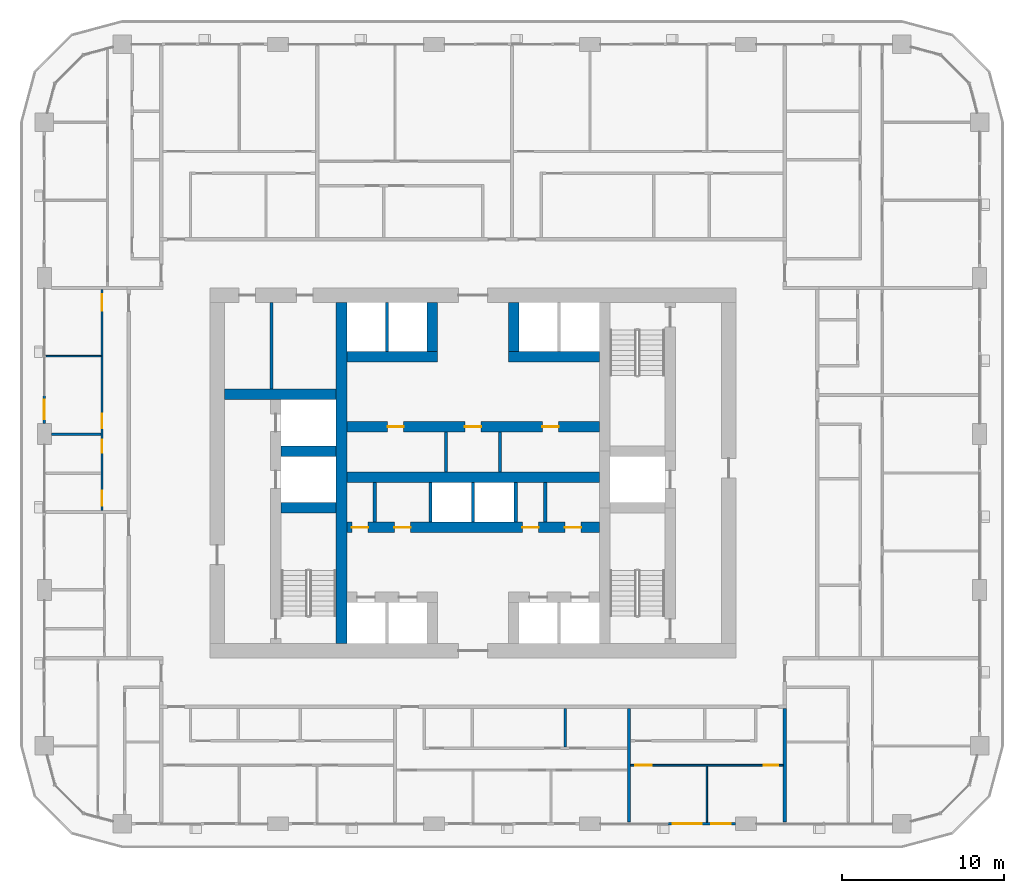
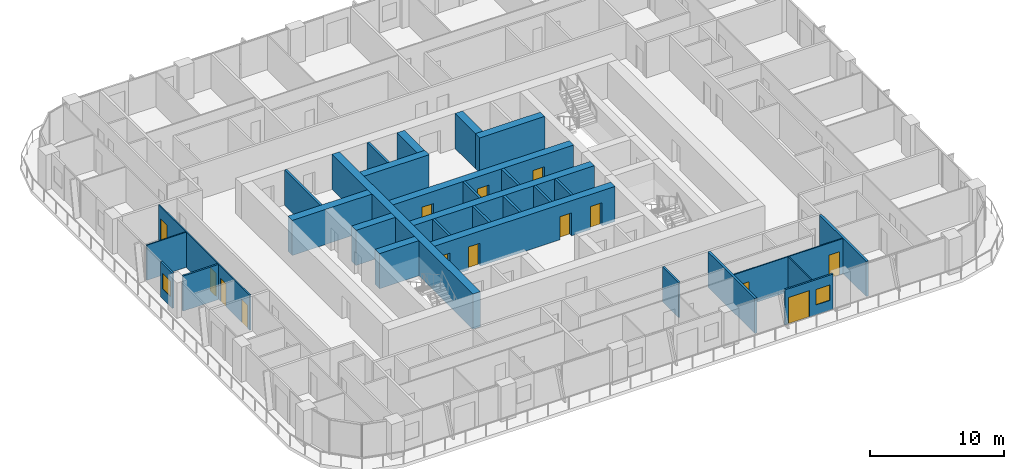
# One storey, part 11 of 22: 30 walls, 14 doors, 2 windows, 16 openings.
"""IFC4 building model written with IfcOpenShell, lengths in metres."""

from ifc_helpers import new_model, si_unit, direction, frame, frame_2d, origin, place, context, subcontext, project, spatial, rectangle, extrude, material, layer, layer_set, type_object, element, fill, save


model = new_model("IFC4")

# Units and contexts
model_context = context("Model", 3, precision=1e-05, world=origin(), true_north=direction((0.0, 1.0)))
body_context = subcontext(model_context, "Body", "Model", "MODEL_VIEW")
ifc_project = project(units=[si_unit("LENGTHUNIT", "METRE"), si_unit("AREAUNIT", "SQUARE_METRE"), si_unit("VOLUMEUNIT", "CUBIC_METRE"), si_unit("PLANEANGLEUNIT", "RADIAN"), si_unit("MASSUNIT", "GRAM", prefix="KILO")], contexts=[model_context])

# Site, building, storey
site_placement = place(None, origin())
site = spatial("IfcSite", under=ifc_project, at=site_placement, CompositionType="ELEMENT")
building_placement = place(site_placement, origin())
building = spatial("IfcBuilding", under=site, at=building_placement, Name="Madar Terraces", CompositionType="ELEMENT")
storey_placement = place(building_placement, frame((0.0, 0.0, 99.699951171875)))
storey = spatial("IfcBuildingStorey", under=building, at=storey_placement, Name="L25", CompositionType="ELEMENT", Elevation=99.699951171875)

# Walls
ifc_material_1 = material(Name="Concrete C80/95", Category="concrete")
ifc_layer_1 = layer(ifc_material_1, 0.64990234375)
ifc_layer_set_1 = layer_set([ifc_layer_1], Name="Concrete C80/95 (CIW2 RC wall 650)")
wall_type_1 = type_object("IfcWallType", Name="CIW2 RC wall 650", PredefinedType="SHEAR", material=ifc_layer_set_1)
wall_1_placement = place(storey_placement, frame((23.10009765625, 15.89990234375, 0.0), z_axis=(0.0, 0.0, 1.0), x_axis=(0.0, 1.0, 0.0)))
element("IfcWall", 1, at=wall_1_placement, inside=storey, type_object=wall_type_1, Name="CORE SHAFT WALL", PredefinedType="SHEAR", context=body_context, shape_type="SweptSolid", body=[
    extrude(rectangle(XDim=21.0, YDim=0.64990234375, at=frame_2d((10.5, 0.0))), origin(), (0.0, 0.0, 1.0), 3.199951171875),
])
for number, where, z_axis, x_axis, name in (
    (2, (19.375, 24.25, 0.0), (0.0, 0.0, 1.0), (1.0, 0.0, 0.0), "CORE SHAFT WALL"),
    (3, (19.375, 27.75, 0.0), (0.0, 0.0, 1.0), (1.0, 0.0, 0.0), "CORE SHAFT WALL"),
):
    element("IfcWall", number, at=place(storey_placement, frame(where, z_axis=z_axis, x_axis=x_axis)), inside=storey, type_object=wall_type_1, Name=name, PredefinedType="SHEAR", context=body_context, shape_type="SweptSolid", body=[
        extrude(rectangle(XDim=3.39990234375, YDim=0.64990234375, at=frame_2d((1.699951171875, 0.0))), origin(), (0.0, 0.0, 1.0), 3.199951171875),
    ])
wall_2_placement = place(storey_placement, frame((15.89990234375, 31.25, 0.0), z_axis=(0.0, 0.0, 1.0), x_axis=(1.0, 0.0, 0.0)))
element("IfcWall", 4, at=wall_2_placement, inside=storey, type_object=wall_type_1, Name="CORE SHAFT WALL", PredefinedType="SHEAR", context=body_context, shape_type="SweptSolid", body=[
    extrude(rectangle(XDim=6.875, YDim=0.64990234375, at=frame_2d((3.4375, 0.0))), origin(), (0.0, 0.0, 1.0), 3.199951171875),
])

# Wall, openings, doors
wall_3_placement = place(storey_placement, frame((23.425048828125, 23.050048828125, 0.0), z_axis=(0.0, 0.0, 1.0), x_axis=(1.0, 0.0, 0.0)))
wall_3 = element("IfcWall", 5, at=wall_3_placement, inside=storey, type_object=wall_type_1, Name="CORE SHAFT WALL", PredefinedType="SHEAR", context=body_context, shape_type="SweptSolid", body=[
    extrude(rectangle(XDim=15.550048828125, YDim=0.64990234375, at=frame_2d((7.77490234375, 0.0))), origin(), (0.0, 0.0, 1.0), 3.199951171875),
])
opening_1_placement = place(wall_3_placement, frame((0.30859375, 0.0, 0.0)))
opening_1 = element("IfcOpeningElement", 6, at=opening_1_placement, cuts=wall_3, Name="Opening KD2", PredefinedType="OPENING", context=body_context, shape_type="SweptSolid", body=[
    extrude(rectangle(XDim=1.0, YDim=2.10009765625, at=frame_2d((0.5, 1.050048828125))), frame((0.0, 0.3349609375, 0.0), z_axis=(0.0, -1.0, 0.0), x_axis=(1.0, 0.0, 0.0)), (0.0, 0.0, 1.0), 0.669921875),
])
opening_2_placement = place(wall_3_placement, frame((2.93359375, 0.0, 0.0)))
opening_2 = element("IfcOpeningElement", 7, at=opening_2_placement, cuts=wall_3, Name="Opening KD2", PredefinedType="OPENING", context=body_context, shape_type="SweptSolid", body=[
    extrude(rectangle(XDim=1.0, YDim=2.10009765625, at=frame_2d((0.5, 1.050048828125))), frame((0.0, 0.3349609375, 0.0), z_axis=(0.0, -1.0, 0.0), x_axis=(1.0, 0.0, 0.0)), (0.0, 0.0, 1.0), 0.669921875),
])
opening_3_placement = place(wall_3_placement, frame((10.80859375, 0.0, 0.0)))
opening_3 = element("IfcOpeningElement", 8, at=opening_3_placement, cuts=wall_3, Name="Opening KD2", PredefinedType="OPENING", context=body_context, shape_type="SweptSolid", body=[
    extrude(rectangle(XDim=1.0, YDim=2.10009765625, at=frame_2d((0.5, 1.050048828125))), frame((0.0, 0.3349609375, 0.0), z_axis=(0.0, -1.0, 0.0), x_axis=(1.0, 0.0, 0.0)), (0.0, 0.0, 1.0), 0.669921875),
])
opening_4_placement = place(wall_3_placement, frame((13.43359375, 0.0, 0.0)))
opening_4 = element("IfcOpeningElement", 9, at=opening_4_placement, cuts=wall_3, Name="Opening KD2", PredefinedType="OPENING", context=body_context, shape_type="SweptSolid", body=[
    extrude(rectangle(XDim=1.0, YDim=2.10009765625, at=frame_2d((0.5, 1.050048828125))), frame((0.0, 0.3349609375, 0.0), z_axis=(0.0, -1.0, 0.0), x_axis=(1.0, 0.0, 0.0)), (0.0, 0.0, 1.0), 0.669921875),
])
ifc_material_2 = material(Name="Steel door leaf", Category="steel")
door_type_1 = type_object("IfcDoorType", Name="Service room door 1000 x 2100", OperationType="NOTDEFINED", PredefinedType="DOOR", material=ifc_material_2)
door_1_placement = place(opening_1_placement, frame((1.0, 0.0, 0.0), z_axis=(0.0, 0.0, 1.0), x_axis=(-1.0, 0.0, 0.0)))
door_1 = element("IfcDoor", 10, at=door_1_placement, inside=storey, type_object=door_type_1, Name="SERVICE ROOM DOOR", OperationType="SINGLE_SWING_RIGHT", OverallHeight=2.10009765625, OverallWidth=1.0, PredefinedType="DOOR", context=body_context, shape_type="SweptSolid", body=[
    extrude(rectangle(XDim=1.0, YDim=2.10009765625, at=frame_2d((0.5, 1.050048828125))), frame((0.0, 0.02490234375, 0.0), z_axis=(0.0, -1.0, 0.0), x_axis=(1.0, 0.0, 0.0)), (0.0, 0.0, 1.0), 0.050048828125),
])
fill(opening_1, door_1)
door_2_placement = place(opening_2_placement, frame((1.0, 0.0, 0.0), z_axis=(0.0, 0.0, 1.0), x_axis=(-1.0, 0.0, 0.0)))
door_2 = element("IfcDoor", 11, at=door_2_placement, inside=storey, type_object=door_type_1, Name="SERVICE ROOM DOOR", OperationType="SINGLE_SWING_LEFT", OverallHeight=2.10009765625, OverallWidth=1.0, PredefinedType="DOOR", context=body_context, shape_type="SweptSolid", body=[
    extrude(rectangle(XDim=1.0, YDim=2.10009765625, at=frame_2d((0.5, 1.050048828125))), frame((0.0, 0.02490234375, 0.0), z_axis=(0.0, -1.0, 0.0), x_axis=(1.0, 0.0, 0.0)), (0.0, 0.0, 1.0), 0.050048828125),
])
fill(opening_2, door_2)
door_3_placement = place(opening_3_placement, frame((1.0, 0.0, 0.0), z_axis=(0.0, 0.0, 1.0), x_axis=(-1.0, 0.0, 0.0)))
door_3 = element("IfcDoor", 12, at=door_3_placement, inside=storey, type_object=door_type_1, Name="SERVICE ROOM DOOR", OperationType="SINGLE_SWING_RIGHT", OverallHeight=2.10009765625, OverallWidth=1.0, PredefinedType="DOOR", context=body_context, shape_type="SweptSolid", body=[
    extrude(rectangle(XDim=1.0, YDim=2.10009765625, at=frame_2d((0.5, 1.050048828125))), frame((0.0, 0.02490234375, 0.0), z_axis=(0.0, -1.0, 0.0), x_axis=(1.0, 0.0, 0.0)), (0.0, 0.0, 1.0), 0.050048828125),
])
fill(opening_3, door_3)
door_4_placement = place(opening_4_placement, frame((1.0, 0.0, 0.0), z_axis=(0.0, 0.0, 1.0), x_axis=(-1.0, 0.0, 0.0)))
door_4 = element("IfcDoor", 13, at=door_4_placement, inside=storey, type_object=door_type_1, Name="SERVICE ROOM DOOR", OperationType="SINGLE_SWING_LEFT", OverallHeight=2.10009765625, OverallWidth=1.0, PredefinedType="DOOR", context=body_context, shape_type="SweptSolid", body=[
    extrude(rectangle(XDim=1.0, YDim=2.10009765625, at=frame_2d((0.5, 1.050048828125))), frame((0.0, 0.02490234375, 0.0), z_axis=(0.0, -1.0, 0.0), x_axis=(1.0, 0.0, 0.0)), (0.0, 0.0, 1.0), 0.050048828125),
])
fill(opening_4, door_4)

# Wall
wall_4_placement = place(storey_placement, frame((23.425048828125, 26.14990234375, 0.0), z_axis=(0.0, 0.0, 1.0), x_axis=(1.0, 0.0, 0.0)))
element("IfcWall", 14, at=wall_4_placement, inside=storey, type_object=wall_type_1, Name="CORE SHAFT WALL", PredefinedType="SHEAR", context=body_context, shape_type="SweptSolid", body=[
    extrude(rectangle(XDim=15.550048828125, YDim=0.64990234375, at=frame_2d((7.77490234375, 0.0))), origin(), (0.0, 0.0, 1.0), 3.199951171875),
])

# Wall, openings, doors
wall_5_placement = place(storey_placement, frame((23.425048828125, 29.25, 0.0), z_axis=(0.0, 0.0, 1.0), x_axis=(1.0, 0.0, 0.0)))
wall_5 = element("IfcWall", 15, at=wall_5_placement, inside=storey, type_object=wall_type_1, Name="CORE SHAFT WALL", PredefinedType="SHEAR", context=body_context, shape_type="SweptSolid", body=[
    extrude(rectangle(XDim=15.550048828125, YDim=0.64990234375, at=frame_2d((7.77490234375, 0.0))), origin(), (0.0, 0.0, 1.0), 3.199951171875),
])
opening_5_placement = place(wall_5_placement, frame((2.508056640625, 0.0, 0.0)))
opening_5 = element("IfcOpeningElement", 16, at=opening_5_placement, cuts=wall_5, Name="Opening KD2", PredefinedType="OPENING", context=body_context, shape_type="SweptSolid", body=[
    extrude(rectangle(XDim=1.0, YDim=2.10009765625, at=frame_2d((0.5, 1.050048828125))), frame((0.0, 0.3349609375, 0.0), z_axis=(0.0, -1.0, 0.0), x_axis=(1.0, 0.0, 0.0)), (0.0, 0.0, 1.0), 0.669921875),
])
opening_6_placement = place(wall_5_placement, frame((7.27490234375, 0.0, 0.0)))
opening_6 = element("IfcOpeningElement", 17, at=opening_6_placement, cuts=wall_5, Name="Opening KD2", PredefinedType="OPENING", context=body_context, shape_type="SweptSolid", body=[
    extrude(rectangle(XDim=1.0, YDim=2.10009765625, at=frame_2d((0.5, 1.050048828125))), frame((0.0, 0.3349609375, 0.0), z_axis=(0.0, -1.0, 0.0), x_axis=(1.0, 0.0, 0.0)), (0.0, 0.0, 1.0), 0.669921875),
])
opening_7_placement = place(wall_5_placement, frame((12.041748046875, 0.0, 0.0)))
opening_7 = element("IfcOpeningElement", 18, at=opening_7_placement, cuts=wall_5, Name="Opening KD2", PredefinedType="OPENING", context=body_context, shape_type="SweptSolid", body=[
    extrude(rectangle(XDim=1.0, YDim=2.10009765625, at=frame_2d((0.5, 1.050048828125))), frame((0.0, 0.3349609375, 0.0), z_axis=(0.0, -1.0, 0.0), x_axis=(1.0, 0.0, 0.0)), (0.0, 0.0, 1.0), 0.669921875),
])
door_5_placement = place(opening_5_placement, origin())
door_5 = element("IfcDoor", 19, at=door_5_placement, inside=storey, type_object=door_type_1, Name="SERVICE ROOM DOOR", OperationType="SINGLE_SWING_RIGHT", OverallHeight=2.10009765625, OverallWidth=1.0, PredefinedType="DOOR", context=body_context, shape_type="SweptSolid", body=[
    extrude(rectangle(XDim=1.0, YDim=2.10009765625, at=frame_2d((0.5, 1.050048828125))), frame((0.0, 0.02490234375, 0.0), z_axis=(0.0, -1.0, 0.0), x_axis=(1.0, 0.0, 0.0)), (0.0, 0.0, 1.0), 0.050048828125),
])
fill(opening_5, door_5)
door_6_placement = place(opening_6_placement, origin())
door_6 = element("IfcDoor", 20, at=door_6_placement, inside=storey, type_object=door_type_1, Name="SERVICE ROOM DOOR", OperationType="SINGLE_SWING_LEFT", OverallHeight=2.10009765625, OverallWidth=1.0, PredefinedType="DOOR", context=body_context, shape_type="SweptSolid", body=[
    extrude(rectangle(XDim=1.0, YDim=2.10009765625, at=frame_2d((0.5, 1.050048828125))), frame((0.0, 0.02490234375, 0.0), z_axis=(0.0, -1.0, 0.0), x_axis=(1.0, 0.0, 0.0)), (0.0, 0.0, 1.0), 0.050048828125),
])
fill(opening_6, door_6)
door_7_placement = place(opening_7_placement, origin())
door_7 = element("IfcDoor", 21, at=door_7_placement, inside=storey, type_object=door_type_1, Name="SERVICE ROOM DOOR", OperationType="SINGLE_SWING_RIGHT", OverallHeight=2.10009765625, OverallWidth=1.0, PredefinedType="DOOR", context=body_context, shape_type="SweptSolid", body=[
    extrude(rectangle(XDim=1.0, YDim=2.10009765625, at=frame_2d((0.5, 1.050048828125))), frame((0.0, 0.02490234375, 0.0), z_axis=(0.0, -1.0, 0.0), x_axis=(1.0, 0.0, 0.0)), (0.0, 0.0, 1.0), 0.050048828125),
])
fill(opening_7, door_7)

# Walls
wall_6_placement = place(storey_placement, frame((23.425048828125, 33.550048828125, 0.0), z_axis=(0.0, 0.0, 1.0), x_axis=(1.0, 0.0, 0.0)))
element("IfcWall", 22, at=wall_6_placement, inside=storey, type_object=wall_type_1, Name="CORE SHAFT WALL", PredefinedType="SHEAR", context=body_context, shape_type="SweptSolid", body=[
    extrude(rectangle(XDim=5.599853515625, YDim=0.64990234375, at=frame_2d((2.7998046875, 0.0))), origin(), (0.0, 0.0, 1.0), 3.199951171875),
])
wall_7_placement = place(storey_placement, frame((33.375, 33.550048828125, 0.0), z_axis=(0.0, 0.0, 1.0), x_axis=(1.0, 0.0, 0.0)))
element("IfcWall", 23, at=wall_7_placement, inside=storey, type_object=wall_type_1, Name="CORE SHAFT WALL", PredefinedType="SHEAR", context=body_context, shape_type="SweptSolid", body=[
    extrude(rectangle(XDim=5.60009765625, YDim=0.64990234375, at=frame_2d((2.800048828125, 0.0))), origin(), (0.0, 0.0, 1.0), 3.199951171875),
])
for number, where, z_axis, x_axis, name in (
    (24, (28.699951171875, 33.875, 0.0), (0.0, 0.0, 1.0), (0.0, 1.0, 0.0), "CORE SHAFT WALL"),
    (25, (33.699951171875, 33.875, 0.0), (0.0, 0.0, 1.0), (0.0, 1.0, 0.0), "CORE SHAFT WALL"),
):
    element("IfcWall", number, at=place(storey_placement, frame(where, z_axis=z_axis, x_axis=x_axis)), inside=storey, type_object=wall_type_1, Name=name, PredefinedType="SHEAR", context=body_context, shape_type="SweptSolid", body=[
        extrude(rectangle(XDim=3.02490234375, YDim=0.64990234375, at=frame_2d((1.512451171875, 0.0))), origin(), (0.0, 0.0, 1.0), 3.199951171875),
    ])
ifc_material_3 = material(Name="Masonry blockwork", Category="masonry")
ifc_layer_2 = layer(ifc_material_3, 0.199951171875)
ifc_layer_set_2 = layer_set([ifc_layer_2], Name="Core partition 200 blockwork")
wall_type_2 = type_object("IfcWallType", Name="Core partition 200 blockwork", PredefinedType="PARTITIONING", material=ifc_layer_set_2)
wall_8_placement = place(storey_placement, frame((18.78759765625, 31.574951171875, 0.0), z_axis=(0.0, 0.0, 1.0), x_axis=(0.0, 1.0, 0.0)))
element("IfcWall", 26, at=wall_8_placement, inside=storey, type_object=wall_type_2, Name="SERVICE ROOM PARTITION", PredefinedType="PARTITIONING", context=body_context, shape_type="SweptSolid", body=[
    extrude(rectangle(XDim=5.324951171875, YDim=0.199951171875, at=frame_2d((2.66259765625, 0.0))), origin(), (0.0, 0.0, 1.0), 3.199951171875),
])
for number, where, z_axis, x_axis, name in (
    (27, (25.14208984375, 23.375, 0.0), (0.0, 0.0, 1.0), (0.0, 1.0, 0.0), "SERVICE ROOM PARTITION"),
    (28, (35.64208984375, 23.375, 0.0), (0.0, 0.0, 1.0), (0.0, 1.0, 0.0), "SERVICE ROOM PARTITION"),
    (29, (29.541259765625, 26.47509765625, 0.0), (0.0, 0.0, 1.0), (0.0, 1.0, 0.0), "SERVICE ROOM PARTITION"),
    (30, (32.858642578125, 26.47509765625, 0.0), (0.0, 0.0, 1.0), (0.0, 1.0, 0.0), "SERVICE ROOM PARTITION"),
):
    element("IfcWall", number, at=place(storey_placement, frame(where, z_axis=z_axis, x_axis=x_axis)), inside=storey, type_object=wall_type_2, Name=name, PredefinedType="PARTITIONING", context=body_context, shape_type="SweptSolid", body=[
        extrude(rectangle(XDim=2.449951171875, YDim=0.199951171875, at=frame_2d((1.22509765625, 0.0))), origin(), (0.0, 0.0, 1.0), 3.199951171875),
    ])
ifc_material_4 = material(Name="Concrete C40/50", Category="concrete")
ifc_layer_3 = layer(ifc_material_4, 0.199951171875)
ifc_layer_set_3 = layer_set([ifc_layer_3], Name="Core shaft dividing wall 200 C40/50")
wall_type_3 = type_object("IfcWallType", Name="Core shaft dividing wall 200 C40/50", PredefinedType="SOLIDWALL", material=ifc_layer_set_3)
for number, where, z_axis, x_axis, name in (
    (31, (28.574951171875, 23.375, 0.0), (0.0, 0.0, 1.0), (0.0, 1.0, 0.0), "SHAFT DIVIDING WALL"),
    (32, (31.199951171875, 23.375, 0.0), (0.0, 0.0, 1.0), (0.0, 1.0, 0.0), "SHAFT DIVIDING WALL"),
    (33, (33.824951171875, 23.375, 0.0), (0.0, 0.0, 1.0), (0.0, 1.0, 0.0), "SHAFT DIVIDING WALL"),
):
    element("IfcWall", number, at=place(storey_placement, frame(where, z_axis=z_axis, x_axis=x_axis)), inside=storey, type_object=wall_type_3, Name=name, PredefinedType="SOLIDWALL", context=body_context, shape_type="SweptSolid", body=[
        extrude(rectangle(XDim=2.449951171875, YDim=0.199951171875, at=frame_2d((1.22509765625, 0.0))), origin(), (0.0, 0.0, 1.0), 3.199951171875),
    ])
wall_9_placement = place(storey_placement, frame((25.89990234375, 33.875, 0.0), z_axis=(0.0, 0.0, 1.0), x_axis=(0.0, 1.0, 0.0)))
element("IfcWall", 34, at=wall_9_placement, inside=storey, type_object=wall_type_3, Name="SHAFT DIVIDING WALL", PredefinedType="SOLIDWALL", context=body_context, shape_type="SweptSolid", body=[
    extrude(rectangle(XDim=3.02490234375, YDim=0.199951171875, at=frame_2d((1.512451171875, 0.0))), origin(), (0.0, 0.0, 1.0), 3.199951171875),
])

# Wall, openings, door, window
ifc_material_5 = material(Name="Aluminium composite panel, black, over insulated backing", Category="aluminium")
ifc_layer_4 = layer(ifc_material_5, 0.14990234375)
ifc_layer_set_4 = layer_set([ifc_layer_4], Name="Facade bay panel 150")
wall_type_4 = type_object("IfcWallType", Name="Facade bay panel 150", PredefinedType="SOLIDWALL", material=ifc_layer_set_4)
wall_10_placement = place(storey_placement, frame((43.199951171875, 4.800048828125, 0.0), z_axis=(0.0, 0.0, 1.0), x_axis=(1.0, 0.0, 0.0)))
wall_10 = element("IfcWall", 35, at=wall_10_placement, inside=storey, type_object=wall_type_4, Name="Facade bay panel", PredefinedType="SOLIDWALL", context=body_context, shape_type="SweptSolid", body=[
    extrude(rectangle(XDim=4.150146484375, YDim=0.14990234375, at=frame_2d((2.0751953125, 0.0))), origin(), (0.0, 0.0, 1.0), 3.199951171875),
])
opening_8_placement = place(wall_10_placement, frame((0.300048828125, 0.0, 0.0)))
opening_8 = element("IfcOpeningElement", 36, at=opening_8_placement, cuts=wall_10, Name="Opening ED1", PredefinedType="OPENING", context=body_context, shape_type="SweptSolid", body=[
    extrude(rectangle(XDim=1.800048828125, YDim=2.39990234375, at=frame_2d((0.89990234375, 1.199951171875))), frame((0.0, 0.0849609375, 0.0), z_axis=(0.0, -1.0, 0.0), x_axis=(1.0, 0.0, 0.0)), (0.0, 0.0, 1.0), 0.169921875),
])
opening_9_placement = place(wall_10_placement, frame((2.675048828125, 0.0, 0.89990234375)))
opening_9 = element("IfcOpeningElement", 37, at=opening_9_placement, cuts=wall_10, Name="Opening W1", PredefinedType="OPENING", context=body_context, shape_type="SweptSolid", body=[
    extrude(rectangle(XDim=1.199951171875, YDim=1.39990234375, at=frame_2d((0.60009765625, 0.699951171875))), frame((0.0, 0.0849609375, 0.0), z_axis=(0.0, -1.0, 0.0), x_axis=(1.0, 0.0, 0.0)), (0.0, 0.0, 1.0), 0.169921875),
])
ifc_material_6 = material(Name="Glass, clear, with black aluminium frame", Category="aluminium")
door_type_2 = type_object("IfcDoorType", Name="Balcony and terrace sliding door 1800 x 2400", OperationType="SLIDING_TO_LEFT", PredefinedType="DOOR", material=ifc_material_6)
door_8_placement = place(opening_8_placement, origin())
door_8 = element("IfcDoor", 38, at=door_8_placement, inside=storey, type_object=door_type_2, Name="Balcony door", OperationType="SLIDING_TO_LEFT", OverallHeight=2.39990234375, OverallWidth=1.800048828125, PredefinedType="DOOR", context=body_context, shape_type="SweptSolid", body=[
    extrude(rectangle(XDim=1.800048828125, YDim=2.39990234375, at=frame_2d((0.89990234375, 1.199951171875))), frame((0.0, 0.02490234375, 0.0), z_axis=(0.0, -1.0, 0.0), x_axis=(1.0, 0.0, 0.0)), (0.0, 0.0, 1.0), 0.050048828125),
])
fill(opening_8, door_8)
ifc_material_7 = material(Name="Glass, clear, with black aluminium frame", Category="aluminium")
window_type = type_object("IfcWindowType", Name="Vent window 1200 x 1400", PartitioningType="SINGLE_PANEL", PredefinedType="WINDOW", material=ifc_material_7)
window_1_placement = place(opening_9_placement, origin())
window_1 = element("IfcWindow", 39, at=window_1_placement, inside=storey, type_object=window_type, Name="Operable vent window", OverallHeight=1.39990234375, OverallWidth=1.199951171875, PartitioningType="SINGLE_PANEL", PredefinedType="WINDOW", context=body_context, shape_type="SweptSolid", body=[
    extrude(rectangle(XDim=1.199951171875, YDim=1.39990234375, at=frame_2d((0.60009765625, 0.699951171875))), frame((0.0, 0.030029296875, 0.0), z_axis=(0.0, -1.0, 0.0), x_axis=(1.0, 0.0, 0.0)), (0.0, 0.0, 1.0), 0.06005859375),
])
fill(opening_9, window_1)

# Wall, opening, window
wall_11_placement = place(storey_placement, frame((4.800048828125, 31.199951171875, 0.0), z_axis=(0.0, 0.0, 1.0), x_axis=(0.0, -1.0, 0.0)))
wall_11 = element("IfcWall", 40, at=wall_11_placement, inside=storey, type_object=wall_type_4, Name="Facade bay panel", PredefinedType="SOLIDWALL", context=body_context, shape_type="SweptSolid", body=[
    extrude(rectangle(XDim=1.75, YDim=0.14990234375, at=frame_2d((0.875, 0.0))), origin(), (0.0, 0.0, 1.0), 3.199951171875),
])
opening_10_placement = place(wall_11_placement, frame((0.27490234375, 0.0, 0.89990234375)))
opening_10 = element("IfcOpeningElement", 41, at=opening_10_placement, cuts=wall_11, Name="Opening W1", PredefinedType="OPENING", context=body_context, shape_type="SweptSolid", body=[
    extrude(rectangle(XDim=1.199951171875, YDim=1.39990234375, at=frame_2d((0.60009765625, 0.699951171875))), frame((0.0, 0.0849609375, 0.0), z_axis=(0.0, -1.0, 0.0), x_axis=(1.0, 0.0, 0.0)), (0.0, 0.0, 1.0), 0.169921875),
])
window_2_placement = place(opening_10_placement, origin())
window_2 = element("IfcWindow", 42, at=window_2_placement, inside=storey, type_object=window_type, Name="Operable vent window", OverallHeight=1.39990234375, OverallWidth=1.199951171875, PartitioningType="SINGLE_PANEL", PredefinedType="WINDOW", context=body_context, shape_type="SweptSolid", body=[
    extrude(rectangle(XDim=1.199951171875, YDim=1.39990234375, at=frame_2d((0.60009765625, 0.699951171875))), frame((0.0, 0.030029296875, 0.0), z_axis=(0.0, -1.0, 0.0), x_axis=(1.0, 0.0, 0.0)), (0.0, 0.0, 1.0), 0.06005859375),
])
fill(opening_10, window_2)

# Wall
ifc_material_8 = material(Name="Gypsum board on steel studs", Category="steel")
ifc_layer_5 = layer(ifc_material_8, 0.10009765625)
ifc_layer_set_5 = layer_set([ifc_layer_5], Name="Flat partition 100")
wall_type_5 = type_object("IfcWallType", Name="Flat partition 100", PredefinedType="PARTITIONING", material=ifc_layer_set_5)
wall_12_placement = place(storey_placement, frame((45.60009765625, 8.35009765625, 0.0), z_axis=(0.0, 0.0, 1.0), x_axis=(0.0, -1.0, 0.0)))
element("IfcWall", 43, at=wall_12_placement, inside=storey, type_object=wall_type_5, Name="Flat partition 100", PredefinedType="PARTITIONING", context=body_context, shape_type="SweptSolid", body=[
    extrude(rectangle(XDim=3.4501953125, YDim=0.10009765625, at=frame_2d((1.72509765625, 0.0))), origin(), (0.0, 0.0, 1.0), 3.199951171875),
])

# Wall, openings, doors
wall_13_placement = place(storey_placement, frame((50.300048828125, 8.39990234375, 0.0), z_axis=(0.0, 0.0, 1.0), x_axis=(-1.0, 0.0, 0.0)))
wall_13 = element("IfcWall", 44, at=wall_13_placement, inside=storey, type_object=wall_type_5, Name="Flat partition 100", PredefinedType="PARTITIONING", context=body_context, shape_type="SweptSolid", body=[
    extrude(rectangle(XDim=9.400146484375, YDim=0.10009765625, at=frame_2d((4.7001953125, 0.0))), origin(), (0.0, 0.0, 1.0), 3.199951171875),
])
opening_11_placement = place(wall_13_placement, frame((0.300048828125, 0.0, 0.0)))
opening_11 = element("IfcOpeningElement", 45, at=opening_11_placement, cuts=wall_13, Name="Opening D2", PredefinedType="OPENING", context=body_context, shape_type="SweptSolid", body=[
    extrude(rectangle(XDim=0.89990234375, YDim=2.10009765625, at=frame_2d((0.449951171875, 1.050048828125))), frame((0.0, 0.06005859375, 0.0), z_axis=(0.0, -1.0, 0.0), x_axis=(1.0, 0.0, 0.0)), (0.0, 0.0, 1.0), 0.1201171875),
])
opening_12_placement = place(wall_13_placement, frame((8.10009765625, 0.0, 0.0)))
opening_12 = element("IfcOpeningElement", 46, at=opening_12_placement, cuts=wall_13, Name="Opening D3", PredefinedType="OPENING", context=body_context, shape_type="SweptSolid", body=[
    extrude(rectangle(XDim=1.0, YDim=2.10009765625, at=frame_2d((0.5, 1.050048828125))), frame((0.0, 0.06005859375, 0.0), z_axis=(0.0, -1.0, 0.0), x_axis=(1.0, 0.0, 0.0)), (0.0, 0.0, 1.0), 0.1201171875),
])
ifc_material_9 = material(Name="Timber door leaf", Category="wood")
door_type_3 = type_object("IfcDoorType", Name="Flat living room door 1000", OperationType="NOTDEFINED", PredefinedType="DOOR", material=ifc_material_9)
door_9_placement = place(opening_12_placement, origin())
door_9 = element("IfcDoor", 47, at=door_9_placement, inside=storey, type_object=door_type_3, Name="Flat living room door 1000", OperationType="SINGLE_SWING_RIGHT", OverallHeight=2.10009765625, OverallWidth=1.0, PredefinedType="DOOR", context=body_context, shape_type="SweptSolid", body=[
    extrude(rectangle(XDim=1.0, YDim=2.10009765625, at=frame_2d((0.5, 1.050048828125))), frame((0.0, 0.02490234375, 0.0), z_axis=(0.0, -1.0, 0.0), x_axis=(1.0, 0.0, 0.0)), (0.0, 0.0, 1.0), 0.050048828125),
])
fill(opening_12, door_9)
ifc_material_10 = material(Name="Timber door leaf", Category="wood")
door_type_4 = type_object("IfcDoorType", Name="Flat room door 900", OperationType="NOTDEFINED", PredefinedType="DOOR", material=ifc_material_10)
door_10_placement = place(opening_11_placement, origin())
door_10 = element("IfcDoor", 48, at=door_10_placement, inside=storey, type_object=door_type_4, Name="Flat room door 900", OperationType="SINGLE_SWING_LEFT", OverallHeight=2.10009765625, OverallWidth=0.89990234375, PredefinedType="DOOR", context=body_context, shape_type="SweptSolid", body=[
    extrude(rectangle(XDim=0.89990234375, YDim=2.10009765625, at=frame_2d((0.449951171875, 1.050048828125))), frame((0.0, 0.02490234375, 0.0), z_axis=(0.0, -1.0, 0.0), x_axis=(1.0, 0.0, 0.0)), (0.0, 0.0, 1.0), 0.050048828125),
])
fill(opening_11, door_10)

# Wall
wall_14_placement = place(storey_placement, frame((8.300048828125, 33.60009765625, 0.0), z_axis=(0.0, 0.0, 1.0), x_axis=(-1.0, 0.0, 0.0)))
element("IfcWall", 49, at=wall_14_placement, inside=storey, type_object=wall_type_5, Name="Flat partition 100", PredefinedType="PARTITIONING", context=body_context, shape_type="SweptSolid", body=[
    extrude(rectangle(XDim=3.400146484375, YDim=0.10009765625, at=frame_2d((1.7001953125, 0.0))), origin(), (0.0, 0.0, 1.0), 3.199951171875),
])

# Wall, openings, doors
wall_15_placement = place(storey_placement, frame((8.35009765625, 24.10009765625, 0.0), z_axis=(0.0, 0.0, 1.0), x_axis=(0.0, 1.0, 0.0)))
wall_15 = element("IfcWall", 50, at=wall_15_placement, inside=storey, type_object=wall_type_5, Name="Flat partition 100", PredefinedType="PARTITIONING", context=body_context, shape_type="SweptSolid", body=[
    extrude(rectangle(XDim=13.599853515625, YDim=0.10009765625, at=frame_2d((6.7998046875, 0.0))), origin(), (0.0, 0.0, 1.0), 3.199951171875),
])
opening_13_placement = place(wall_15_placement, frame((12.300048828125, 0.0, 0.0)))
opening_13 = element("IfcOpeningElement", 51, at=opening_13_placement, cuts=wall_15, Name="Opening D3", PredefinedType="OPENING", context=body_context, shape_type="SweptSolid", body=[
    extrude(rectangle(XDim=1.0, YDim=2.10009765625, at=frame_2d((0.5, 1.050048828125))), frame((0.0, 0.06005859375, 0.0), z_axis=(0.0, -1.0, 0.0), x_axis=(1.0, 0.0, 0.0)), (0.0, 0.0, 1.0), 0.1201171875),
])
opening_14_placement = place(wall_15_placement, frame((5.050048828125, 0.0, 0.0)))
opening_14 = element("IfcOpeningElement", 52, at=opening_14_placement, cuts=wall_15, Name="Opening D2", PredefinedType="OPENING", context=body_context, shape_type="SweptSolid", body=[
    extrude(rectangle(XDim=0.89990234375, YDim=2.10009765625, at=frame_2d((0.449951171875, 1.050048828125))), frame((0.0, 0.06005859375, 0.0), z_axis=(0.0, -1.0, 0.0), x_axis=(1.0, 0.0, 0.0)), (0.0, 0.0, 1.0), 0.1201171875),
])
opening_15_placement = place(wall_15_placement, frame((3.550048828125, 0.0, 0.0)))
opening_15 = element("IfcOpeningElement", 53, at=opening_15_placement, cuts=wall_15, Name="Opening D4", PredefinedType="OPENING", context=body_context, shape_type="SweptSolid", body=[
    extrude(rectangle(XDim=0.800048828125, YDim=2.10009765625, at=frame_2d((0.39990234375, 1.050048828125))), frame((0.0, 0.06005859375, 0.0), z_axis=(0.0, -1.0, 0.0), x_axis=(1.0, 0.0, 0.0)), (0.0, 0.0, 1.0), 0.1201171875),
])
opening_16_placement = place(wall_15_placement, frame((0.300048828125, 0.0, 0.0)))
opening_16 = element("IfcOpeningElement", 54, at=opening_16_placement, cuts=wall_15, Name="Opening D2", PredefinedType="OPENING", context=body_context, shape_type="SweptSolid", body=[
    extrude(rectangle(XDim=0.89990234375, YDim=2.10009765625, at=frame_2d((0.449951171875, 1.050048828125))), frame((0.0, 0.06005859375, 0.0), z_axis=(0.0, -1.0, 0.0), x_axis=(1.0, 0.0, 0.0)), (0.0, 0.0, 1.0), 0.1201171875),
])
ifc_material_11 = material(Name="Timber door leaf", Category="wood")
door_type_5 = type_object("IfcDoorType", Name="Flat bathroom door 800", OperationType="NOTDEFINED", PredefinedType="DOOR", material=ifc_material_11)
door_11_placement = place(opening_15_placement, origin())
door_11 = element("IfcDoor", 55, at=door_11_placement, inside=storey, type_object=door_type_5, Name="Flat bathroom door 800", OperationType="SINGLE_SWING_RIGHT", OverallHeight=2.10009765625, OverallWidth=0.800048828125, PredefinedType="DOOR", context=body_context, shape_type="SweptSolid", body=[
    extrude(rectangle(XDim=0.800048828125, YDim=2.10009765625, at=frame_2d((0.39990234375, 1.050048828125))), frame((0.0, 0.02490234375, 0.0), z_axis=(0.0, -1.0, 0.0), x_axis=(1.0, 0.0, 0.0)), (0.0, 0.0, 1.0), 0.050048828125),
])
fill(opening_15, door_11)
door_12_placement = place(opening_13_placement, origin())
door_12 = element("IfcDoor", 56, at=door_12_placement, inside=storey, type_object=door_type_3, Name="Flat living room door 1000", OperationType="SINGLE_SWING_RIGHT", OverallHeight=2.10009765625, OverallWidth=1.0, PredefinedType="DOOR", context=body_context, shape_type="SweptSolid", body=[
    extrude(rectangle(XDim=1.0, YDim=2.10009765625, at=frame_2d((0.5, 1.050048828125))), frame((0.0, 0.02490234375, 0.0), z_axis=(0.0, -1.0, 0.0), x_axis=(1.0, 0.0, 0.0)), (0.0, 0.0, 1.0), 0.050048828125),
])
fill(opening_13, door_12)
door_13_placement = place(opening_14_placement, origin())
door_13 = element("IfcDoor", 57, at=door_13_placement, inside=storey, type_object=door_type_4, Name="Flat room door 900", OperationType="SINGLE_SWING_LEFT", OverallHeight=2.10009765625, OverallWidth=0.89990234375, PredefinedType="DOOR", context=body_context, shape_type="SweptSolid", body=[
    extrude(rectangle(XDim=0.89990234375, YDim=2.10009765625, at=frame_2d((0.449951171875, 1.050048828125))), frame((0.0, 0.02490234375, 0.0), z_axis=(0.0, -1.0, 0.0), x_axis=(1.0, 0.0, 0.0)), (0.0, 0.0, 1.0), 0.050048828125),
])
fill(opening_14, door_13)
door_14_placement = place(opening_16_placement, origin())
door_14 = element("IfcDoor", 58, at=door_14_placement, inside=storey, type_object=door_type_4, Name="Flat room door 900", OperationType="SINGLE_SWING_LEFT", OverallHeight=2.10009765625, OverallWidth=0.89990234375, PredefinedType="DOOR", context=body_context, shape_type="SweptSolid", body=[
    extrude(rectangle(XDim=0.89990234375, YDim=2.10009765625, at=frame_2d((0.449951171875, 1.050048828125))), frame((0.0, 0.02490234375, 0.0), z_axis=(0.0, -1.0, 0.0), x_axis=(1.0, 0.0, 0.0)), (0.0, 0.0, 1.0), 0.050048828125),
])
fill(opening_16, door_14)

# Walls
ifc_material_12 = material(Name="Lightweight blockwork", Category="masonry")
ifc_layer_6 = layer(ifc_material_12, 0.199951171875)
ifc_layer_set_6 = layer_set([ifc_layer_6], Name="Flat party and entrance wall 200")
wall_type_6 = type_object("IfcWallType", Name="Flat party and entrance wall 200", PredefinedType="PARTITIONING", material=ifc_layer_set_6)
for number, where, z_axis, x_axis, name in (
    (59, (40.800048828125, 11.89990234375, 0.0), (0.0, 0.0, 1.0), (0.0, -1.0, 0.0), "Flat party and entrance wall 200"),
    (60, (50.39990234375, 11.89990234375, 0.0), (0.0, 0.0, 1.0), (0.0, -1.0, 0.0), "Flat party and entrance wall 200"),
):
    element("IfcWall", number, at=place(storey_placement, frame(where, z_axis=z_axis, x_axis=x_axis)), inside=storey, type_object=wall_type_6, Name=name, PredefinedType="PARTITIONING", context=body_context, shape_type="SweptSolid", body=[
        extrude(rectangle(XDim=7.0, YDim=0.199951171875, at=frame_2d((3.5, 0.0))), origin(), (0.0, 0.0, 1.0), 3.199951171875),
    ])
ifc_material_13 = material(Name="Lightweight blockwork", Category="masonry")
ifc_layer_7 = layer(ifc_material_13, 0.14990234375)
ifc_layer_set_7 = layer_set([ifc_layer_7], Name="Flat wet-room partition 150")
wall_type_7 = type_object("IfcWallType", Name="Flat wet-room partition 150", PredefinedType="PARTITIONING", material=ifc_layer_set_7)
wall_16_placement = place(storey_placement, frame((36.876953125, 11.89990234375, 0.0), z_axis=(0.0, 0.0, 1.0), x_axis=(0.0, -1.0, 0.0)))
element("IfcWall", 61, at=wall_16_placement, inside=storey, type_object=wall_type_7, Name="Flat wet-room partition 150", PredefinedType="PARTITIONING", context=body_context, shape_type="SweptSolid", body=[
    extrude(rectangle(XDim=2.375, YDim=0.14990234375, at=frame_2d((1.1875, 0.0))), origin(), (0.0, 0.0, 1.0), 3.199951171875),
])
wall_17_placement = place(storey_placement, frame((8.27490234375, 28.800048828125, 0.0), z_axis=(0.0, 0.0, 1.0), x_axis=(-1.0, 0.0, 0.0)))
element("IfcWall", 62, at=wall_17_placement, inside=storey, type_object=wall_type_7, Name="Flat wet-room partition 150", PredefinedType="PARTITIONING", context=body_context, shape_type="SweptSolid", body=[
    extrude(rectangle(XDim=3.0498046875, YDim=0.14990234375, at=frame_2d((1.52490234375, 0.0))), origin(), (0.0, 0.0, 1.0), 3.199951171875),
])

save(model, "model.ifc")
